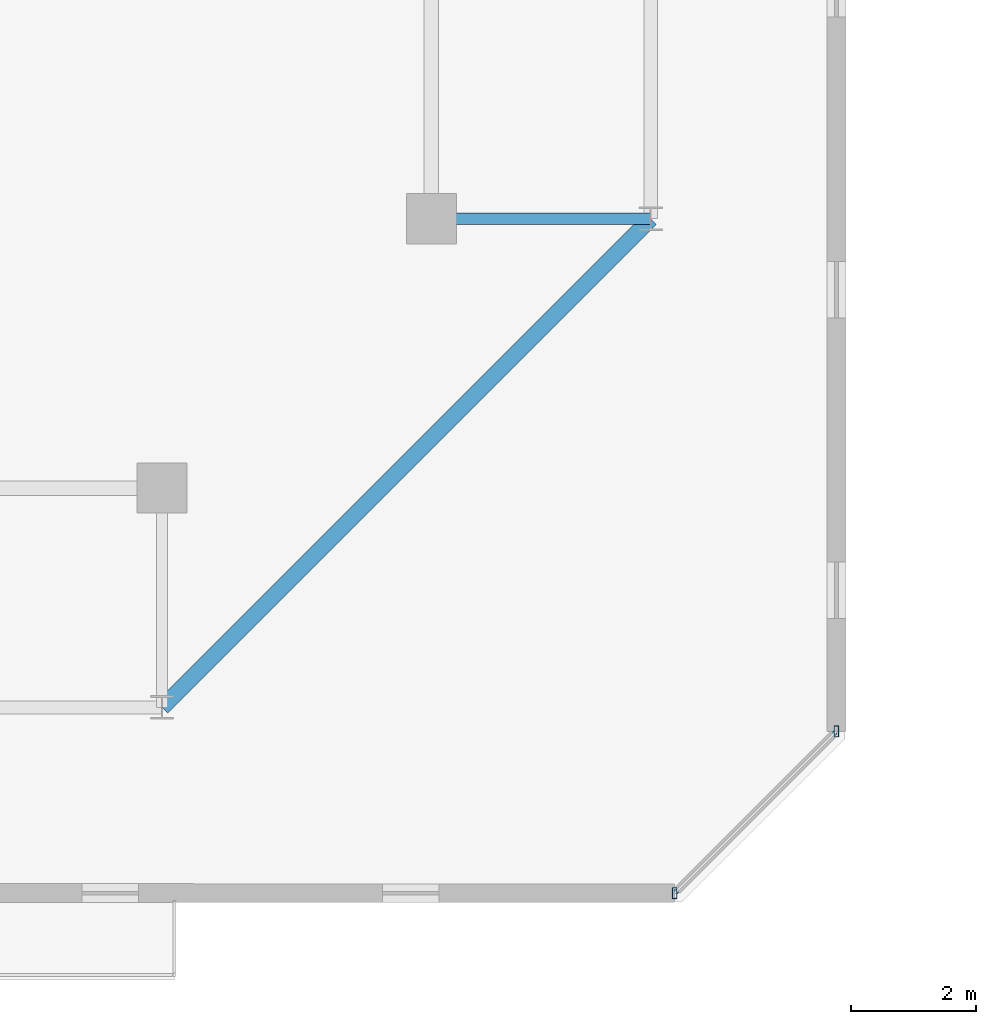
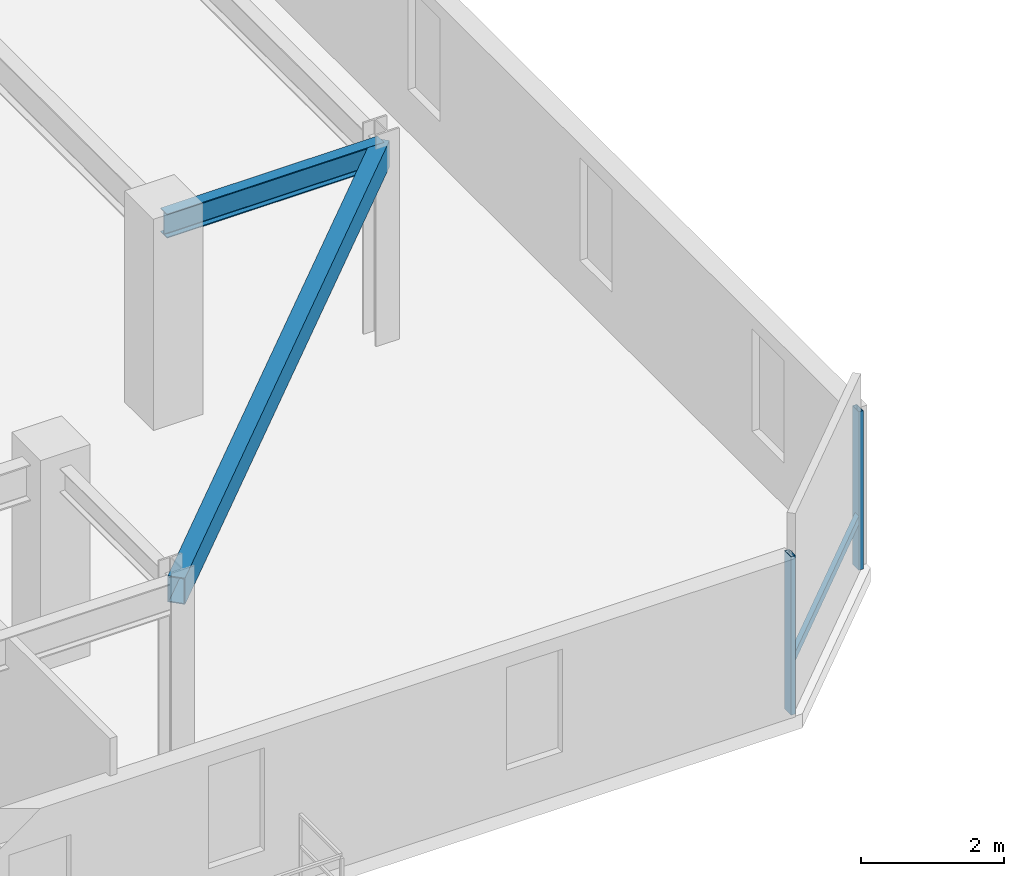
# One storey, part 7 of 34: 3 members, 2 beams, 1 element without a shape of its own.
"""IFC4 building model written with IfcOpenShell, lengths in metres."""

from ifc_helpers import new_model, si_unit, direction, frame, origin, origin_2d, place, context, subcontext, project, spatial, hollow_rectangle, i_section, extrude, material, material_profile, profile_set, type_object, element, aggregate, save


model = new_model("IFC4")

# Units and contexts
model_context = context("Model", 3, precision=1e-05, world=origin(), true_north=direction((0.0, 1.0)))
body_context = subcontext(model_context, "Body", "Model", "MODEL_VIEW")
ifc_project = project(units=[si_unit("LENGTHUNIT", "METRE"), si_unit("AREAUNIT", "SQUARE_METRE"), si_unit("VOLUMEUNIT", "CUBIC_METRE"), si_unit("PLANEANGLEUNIT", "RADIAN"), si_unit("MASSUNIT", "GRAM", prefix="KILO")], contexts=[model_context])

# Site, building, storey
site_placement = place(None, origin())
site = spatial("IfcSite", under=ifc_project, at=site_placement, CompositionType="ELEMENT")
building_placement = place(site_placement, origin())
building = spatial("IfcBuilding", under=site, at=building_placement, Name="Thornwick Lancets Civic Towers", CompositionType="ELEMENT")
storey_placement = place(building_placement, frame((0.0, 0.0, 261.89990234375)))
storey = spatial("IfcBuildingStorey", under=building, at=storey_placement, Name="L70", CompositionType="ELEMENT", Elevation=261.89990234375)

# Beams
ifc_material_1 = material(Name="Steel S355JR", Category="steel")
ifc_material_profile_1 = material_profile(ifc_material_1, i_section(OverallWidth=0.179443359375, OverallDepth=0.412841796875, WebThickness=0.009521484375, FlangeThickness=0.01611328125, FilletRadius=0.01025390625, at=origin_2d()), Name="UKB 406x178x74")
ifc_profile_set_1 = profile_set([ifc_material_profile_1], Name="Steel S355JR")
beam_type_1 = type_object("IfcBeamType", Name="BM_JOIST_406_74", PredefinedType="JOIST", material=ifc_profile_set_1)
beam_1_placement = place(storey_placement, frame((42.800048828125, 14.0, 3.15380859375), z_axis=(1.0, 0.0, 0.0), x_axis=(0.0, 1.0, 0.0)))
element("IfcBeam", 1, at=beam_1_placement, inside=storey, type_object=beam_type_1, Name="BM-RAD-L70-A04", PredefinedType="JOIST", context=body_context, shape_type="SweptSolid", body=[
    extrude(i_section(OverallWidth=0.179443359375, OverallDepth=0.412841796875, WebThickness=0.009521484375, FlangeThickness=0.01611328125, FilletRadius=0.01025390625, at=origin_2d()), origin(), (0.0, 0.0, 1.0), 3.5),
])
ifc_material_profile_2 = material_profile(ifc_material_1, hollow_rectangle(XDim=0.25, YDim=0.449951171875, WallThickness=0.01611328125, at=origin_2d()), Name="RHS 450x250x16")
ifc_profile_set_2 = profile_set([ifc_material_profile_2], Name="Steel S355JR")
beam_type_2 = type_object("IfcBeamType", Name="BM_RING_RHS450", PredefinedType="BEAM", material=ifc_profile_set_2)
beam_2_placement = place(storey_placement, frame((38.5, 6.199951171875, 3.135009765625), z_axis=(0.707106781187, 0.707106781187, 0.0), x_axis=(-0.707106781187, 0.707106781187, 0.0)))
element("IfcBeam", 2, at=beam_2_placement, inside=storey, type_object=beam_type_2, Name="BM-CHAMF-L70-A-C0", PredefinedType="BEAM", context=body_context, shape_type="SweptSolid", body=[
    extrude(hollow_rectangle(XDim=0.25, YDim=0.449951171875, WallThickness=0.01611328125, at=origin_2d()), origin(), (0.0, 0.0, 1.0), 11.031005859375),
])

# Curtain wall, members
ifc_material_2 = material(Name="High-zone chamfered-corner unitised glass curtain wall", Category="glass")
curtain_wall_type = type_object("IfcCurtainWallType", Name="CW_SYS_05", PredefinedType="NOTDEFINED", material=ifc_material_2)
curtain_wall_placement = place(storey_placement, origin())
curtain_wall = element("IfcCurtainWall", 3, at=curtain_wall_placement, inside=storey, type_object=curtain_wall_type, Name="L70 Curtain Wall CW-L70-A-E1", PredefinedType="NOTDEFINED")
ifc_material_3 = material(Name="Thermally broken bronze aluminium S355", Category="steel")
ifc_material_profile_3 = material_profile(ifc_material_3, hollow_rectangle(XDim=0.074951171875, YDim=0.179931640625, WallThickness=0.006103515625, at=origin_2d()), Name="RHS 180x75x6")
ifc_profile_set_3 = profile_set([ifc_material_profile_3], Name="Thermally broken bronze aluminium S355")
member_type_1 = type_object("IfcMemberType", Name="CW_MUL_180", PredefinedType="MULLION", material=ifc_profile_set_3)
member_1_placement = place(storey_placement, frame((46.681396484375, 3.2353515625, 0.0), z_axis=(0.0, 0.0, 1.0), x_axis=(1.0, 0.0, 0.0)))
member_1 = element("IfcMember", 4, at=member_1_placement, type_object=member_type_1, Name="CW-L70-A-E1 Mullion 0", PredefinedType="MULLION", context=body_context, shape_type="SweptSolid", body=[
    extrude(hollow_rectangle(XDim=0.074951171875, YDim=0.179931640625, WallThickness=0.006103515625, at=origin_2d()), origin(), (0.0, 0.0, 1.0), 2.7001953125),
])
member_2_placement = place(storey_placement, frame((49.2646484375, 5.818603515625, 0.0), z_axis=(0.0, 0.0, 1.0), x_axis=(1.0, 0.0, 0.0)))
member_2 = element("IfcMember", 5, at=member_2_placement, type_object=member_type_1, Name="CW-L70-A-E1 Mullion 1", PredefinedType="MULLION", context=body_context, shape_type="SweptSolid", body=[
    extrude(hollow_rectangle(XDim=0.074951171875, YDim=0.179931640625, WallThickness=0.006103515625, at=origin_2d()), origin(), (0.0, 0.0, 1.0), 2.7001953125),
])
ifc_material_profile_4 = material_profile(ifc_material_3, hollow_rectangle(XDim=0.074951171875, YDim=0.14990234375, WallThickness=0.0048828125, at=origin_2d()), Name="RHS 150x75x5")
ifc_profile_set_4 = profile_set([ifc_material_profile_4], Name="Thermally broken bronze aluminium S355")
member_type_2 = type_object("IfcMemberType", Name="CW_TRN_150", PredefinedType="USERDEFINED", material=ifc_profile_set_4)
member_3_placement = place(storey_placement, frame((46.695556640625, 3.24951171875, 0.85009765625), z_axis=(0.707106781187, 0.707106781187, 0.0), x_axis=(-0.707106781187, 0.707106781187, 0.0)))
member_3 = element("IfcMember", 6, at=member_3_placement, type_object=member_type_2, Name="CW-L70-A-E1 Transom 0", ObjectType="TRANSOM", PredefinedType="USERDEFINED", context=body_context, shape_type="SweptSolid", body=[
    extrude(hollow_rectangle(XDim=0.074951171875, YDim=0.14990234375, WallThickness=0.0048828125, at=origin_2d()), origin(), (0.0, 0.0, 1.0), 3.61328125),
])
aggregate(curtain_wall, [member_1, member_2, member_3])

save(model, "model.ifc")
